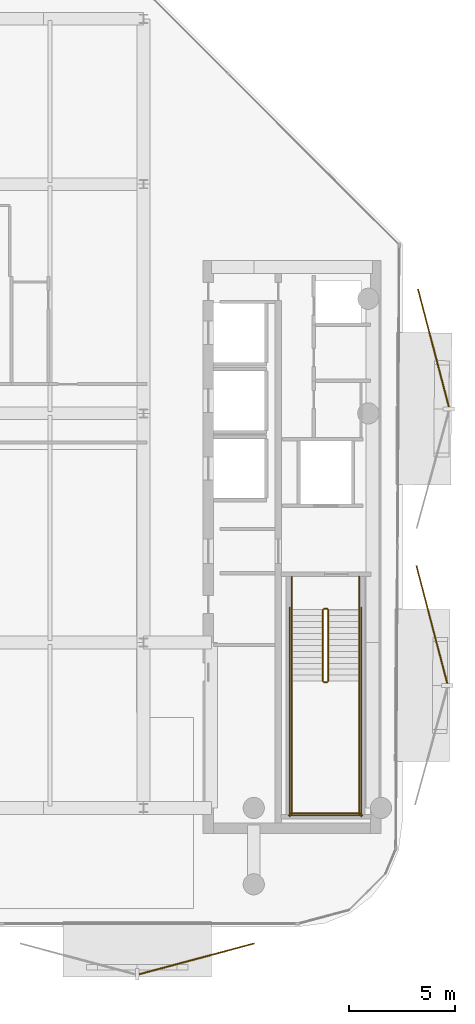
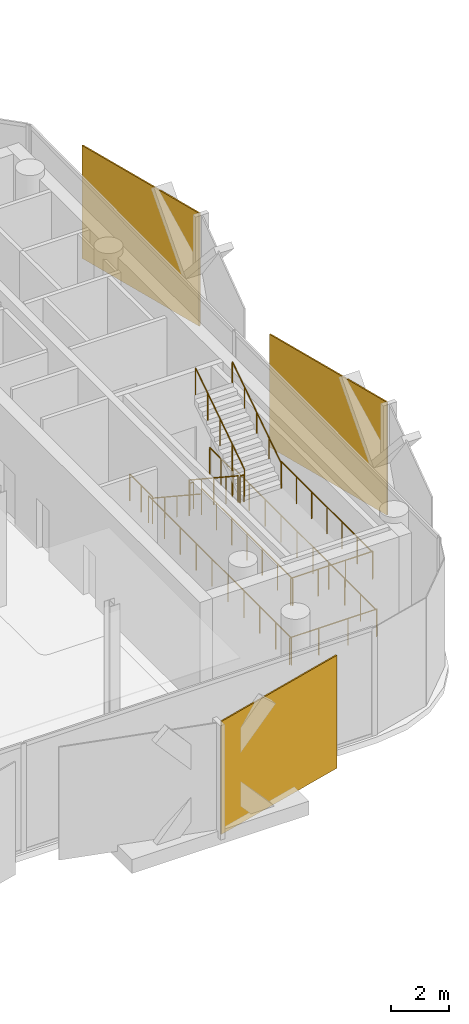
# One storey, part 14 of 15: 14 railings, 3 coverings.
"""IFC4 building model written with IfcOpenShell, lengths in metres."""

from ifc_helpers import new_model, si_unit, direction, frame, origin, origin_2d, place, context, subcontext, project, spatial, rectangle, circle, extrude, material, layer, layer_set, type_object, element, save


model = new_model("IFC4")

# Units and contexts
model_context = context("Model", 3, precision=1e-05, world=origin(), true_north=direction((0.0, 1.0)))
body_context = subcontext(model_context, "Body", "Model", "MODEL_VIEW")
ifc_project = project(units=[si_unit("LENGTHUNIT", "METRE"), si_unit("AREAUNIT", "SQUARE_METRE"), si_unit("VOLUMEUNIT", "CUBIC_METRE"), si_unit("PLANEANGLEUNIT", "RADIAN"), si_unit("MASSUNIT", "GRAM", prefix="KILO")], contexts=[model_context])

# Site, building, storey
site_placement = place(None, origin())
site = spatial("IfcSite", under=ifc_project, at=site_placement, CompositionType="ELEMENT")
building_placement = place(site_placement, origin())
building = spatial("IfcBuilding", under=site, at=building_placement, Name="Khairoan Windgate Tower", CompositionType="ELEMENT")
storey_placement = place(building_placement, frame((0.0, 0.0, 315.60009765625)))
storey = spatial("IfcBuildingStorey", under=building, at=storey_placement, Name="L76", CompositionType="ELEMENT", Elevation=315.60009765625)

# Coverings
ifc_material_1 = material(Name="Anodised Bronze Aluminium 6063-T6", Category="aluminium")
ifc_layer = layer(ifc_material_1, 0.054931640625, Name="Anodised Bronze Aluminium 6063-T6")
ifc_layer_set = layer_set([ifc_layer], Name="Anodised Bronze Aluminium 6063-T6")
covering_type = type_object("IfcCoveringType", Name="Perforated Bronze-Ceramic Folded Solar Screen Cladding BSC-1", PredefinedType="CLADDING", material=ifc_layer_set)
covering_placement = place(storey_placement, frame((11.71044921875, -25.713134765625, -0.10009765625), z_axis=(0.0, 0.0, 1.0), x_axis=(-0.965925826289, -0.258819045103, 0.0)))
element("IfcCovering", 1, at=covering_placement, inside=storey, type_object=covering_type, Name="L76 Folded Bronze Solar Screen Facet 534L", PredefinedType="CLADDING", context=body_context, shape_type="SweptSolid", body=[
    extrude(rectangle(XDim=5.616943359375, YDim=0.054931640625, at=origin_2d()), origin(), (0.0, 0.0, 1.0), 4.739990234375),
])
for number, where, z_axis, x_axis, name in (
    (2, (22.869873046875, 3.074462890625, -0.10009765625), (0.0, 0.0, 1.0), (0.253251449612, -0.967400487528, 0.0), "L76 Folded Bronze Solar Screen Facet 540L"),
    (3, (22.794921875, -9.96240234375, -0.10009765625), (0.0, 0.0, 1.0), (0.253251449612, -0.967400487528, 0.0), "L76 Folded Bronze Solar Screen Facet 541L"),
):
    element("IfcCovering", number, at=place(storey_placement, frame(where, z_axis=z_axis, x_axis=x_axis)), inside=storey, type_object=covering_type, Name=name, PredefinedType="CLADDING", context=body_context, shape_type="SweptSolid", body=[
        extrude(rectangle(XDim=5.736083984375, YDim=0.054931640625, at=origin_2d()), origin(), (0.0, 0.0, 1.0), 4.739990234375),
    ])

# Railings
ifc_material_2 = material(Name="Anodised Bronze Aluminium 6063-T6", Category="aluminium")
railing_type_1 = type_object("IfcRailingType", Name="Stair Wall Handrail SHR-900", PredefinedType="HANDRAIL", material=ifc_material_2)
railing_1_placement = place(storey_placement, frame((16.199951171875, -9.260009765625, 0.1845703125)))
element("IfcRailing", 4, at=railing_1_placement, inside=storey, type_object=railing_type_1, Name="L76 ST1 stair handrail 1", PredefinedType="HANDRAIL", context=body_context, shape_type="SweptSolid", body=[
    extrude(circle(Radius=0.02392578125, at=origin_2d()), frame((0.0, 0.0, 0.8759765625), z_axis=(0.0, -0.834876476806, 0.550437342915), x_axis=(1.0, 0.0, 0.0)), (0.0, 0.0, 1.0), 4.024658203125),
    extrude(circle(Radius=0.02099609375, at=origin_2d()), origin(), (0.0, 0.0, 1.0), 0.851806640625),
    extrude(circle(Radius=0.02099609375, at=origin_2d()), frame((0.0, -0.840087890625, 0.5537109375)), (0.0, 0.0, 1.0), 0.851806640625),
    extrude(circle(Radius=0.02099609375, at=origin_2d()), frame((0.0, -1.68017578125, 1.107666015625)), (0.0, 0.0, 1.0), 0.851806640625),
    extrude(circle(Radius=0.02099609375, at=origin_2d()), frame((0.0, -2.52001953125, 1.66162109375)), (0.0, 0.0, 1.0), 0.851806640625),
    extrude(circle(Radius=0.02099609375, at=origin_2d()), frame((0.0, -3.360107421875, 2.21533203125)), (0.0, 0.0, 1.0), 0.851806640625),
])
railing_2_placement = place(storey_placement, frame((19.3701171875, -12.6201171875, 2.58447265625)))
element("IfcRailing", 5, at=railing_2_placement, inside=storey, type_object=railing_type_1, Name="L76 ST1 stair handrail 2", PredefinedType="HANDRAIL", context=body_context, shape_type="SweptSolid", body=[
    extrude(circle(Radius=0.02392578125, at=origin_2d()), frame((0.0, 0.0, 0.8759765625), z_axis=(0.0, 0.834876476806, 0.550437342915), x_axis=(-1.0, 0.0, 0.0)), (0.0, 0.0, 1.0), 4.024658203125),
    extrude(circle(Radius=0.02099609375, at=origin_2d()), origin(), (0.0, 0.0, 1.0), 0.851806640625),
    extrude(circle(Radius=0.02099609375, at=origin_2d()), frame((0.0, 0.840087890625, 0.5537109375)), (0.0, 0.0, 1.0), 0.851806640625),
    extrude(circle(Radius=0.02099609375, at=origin_2d()), frame((0.0, 1.68017578125, 1.107666015625)), (0.0, 0.0, 1.0), 0.851806640625),
    extrude(circle(Radius=0.02099609375, at=origin_2d()), frame((0.0, 2.52001953125, 1.66162109375)), (0.0, 0.0, 1.0), 0.851806640625),
    extrude(circle(Radius=0.02099609375, at=origin_2d()), frame((0.0, 3.360107421875, 2.21533203125)), (0.0, 0.0, 1.0), 0.851806640625),
])
ifc_material_3 = material(Name="Steel S355", Category="steel")
railing_type_2 = type_object("IfcRailingType", Name="Stairwell Safety Guardrail SGR-1150", PredefinedType="GUARDRAIL", material=ifc_material_3)
railing_3_placement = place(storey_placement, frame((17.659912109375, -9.260009765625, 0.1845703125)))
element("IfcRailing", 6, at=railing_3_placement, inside=storey, type_object=railing_type_2, Name="L76 ST1 stair guard 1", PredefinedType="GUARDRAIL", context=body_context, shape_type="SweptSolid", body=[
    extrude(circle(Radius=0.02392578125, at=origin_2d()), frame((0.0, 0.0, 1.1259765625), z_axis=(0.0, -0.834876476806, 0.550437342915), x_axis=(1.0, 0.0, 0.0)), (0.0, 0.0, 1.0), 4.024658203125),
    extrude(circle(Radius=0.02099609375, at=origin_2d()), origin(), (0.0, 0.0, 1.0), 1.101806640625),
    extrude(circle(Radius=0.02099609375, at=origin_2d()), frame((0.0, -0.840087890625, 0.5537109375)), (0.0, 0.0, 1.0), 1.101806640625),
    extrude(circle(Radius=0.02099609375, at=origin_2d()), frame((0.0, -1.68017578125, 1.107666015625)), (0.0, 0.0, 1.0), 1.101806640625),
    extrude(circle(Radius=0.02099609375, at=origin_2d()), frame((0.0, -2.52001953125, 1.66162109375)), (0.0, 0.0, 1.0), 1.101806640625),
    extrude(circle(Radius=0.02099609375, at=origin_2d()), frame((0.0, -3.360107421875, 2.21533203125)), (0.0, 0.0, 1.0), 1.101806640625),
])
railing_4_placement = place(storey_placement, frame((17.7099609375, -12.669921875, 2.39990234375)))
element("IfcRailing", 7, at=railing_4_placement, inside=storey, type_object=railing_type_2, Name="L76 ST1 stair guard 2", PredefinedType="GUARDRAIL", context=body_context, shape_type="SweptSolid", body=[
    extrude(circle(Radius=0.02392578125, at=origin_2d()), frame((0.0, 0.0, 1.1259765625), z_axis=(1.0, 0.0, 0.0), x_axis=(0.0, 1.0, 0.0)), (0.0, 0.0, 1.0), 0.150146484375),
    extrude(circle(Radius=0.02099609375, at=origin_2d()), origin(), (0.0, 0.0, 1.0), 1.101806640625),
    extrude(circle(Radius=0.02099609375, at=origin_2d()), frame((0.150146484375, 0.0, 0.0)), (0.0, 0.0, 1.0), 1.101806640625),
])
for number, where, name in (
    (8, (16.199951171875, -12.6201171875, 2.39990234375), "L76 ST1 stair guard 3"),
    (9, (19.3701171875, -12.6201171875, 2.39990234375), "L76 ST1 stair guard 4"),
):
    element("IfcRailing", number, at=place(storey_placement, frame(where)), inside=storey, type_object=railing_type_2, Name=name, PredefinedType="GUARDRAIL", context=body_context, shape_type="SweptSolid", body=[
        extrude(circle(Radius=0.02392578125, at=origin_2d()), frame((0.0, 0.0, 1.1259765625), z_axis=(0.0, -1.0, 0.0), x_axis=(1.0, 0.0, 0.0)), (0.0, 0.0, 1.0), 6.27978515625),
        extrude(circle(Radius=0.02099609375, at=origin_2d()), origin(), (0.0, 0.0, 1.0), 1.101806640625),
        extrude(circle(Radius=0.02099609375, at=origin_2d()), frame((0.0, -1.046630859375, 0.0)), (0.0, 0.0, 1.0), 1.101806640625),
        extrude(circle(Radius=0.02099609375, at=origin_2d()), frame((0.0, -2.09326171875, 0.0)), (0.0, 0.0, 1.0), 1.101806640625),
        extrude(circle(Radius=0.02099609375, at=origin_2d()), frame((0.0, -3.139892578125, 0.0)), (0.0, 0.0, 1.0), 1.101806640625),
        extrude(circle(Radius=0.02099609375, at=origin_2d()), frame((0.0, -4.1865234375, 0.0)), (0.0, 0.0, 1.0), 1.101806640625),
        extrude(circle(Radius=0.02099609375, at=origin_2d()), frame((0.0, -5.233154296875, 0.0)), (0.0, 0.0, 1.0), 1.101806640625),
        extrude(circle(Radius=0.02099609375, at=origin_2d()), frame((0.0, -6.27978515625, 0.0)), (0.0, 0.0, 1.0), 1.101806640625),
    ])
railing_5_placement = place(storey_placement, frame((16.14990234375, -18.85009765625, 2.39990234375)))
element("IfcRailing", 10, at=railing_5_placement, inside=storey, type_object=railing_type_2, Name="L76 ST1 stair guard 5", PredefinedType="GUARDRAIL", context=body_context, shape_type="SweptSolid", body=[
    extrude(circle(Radius=0.02392578125, at=origin_2d()), frame((0.0, 0.0, 1.1259765625), z_axis=(1.0, 0.0, 0.0), x_axis=(0.0, 1.0, 0.0)), (0.0, 0.0, 1.0), 3.27001953125),
    extrude(circle(Radius=0.02099609375, at=origin_2d()), origin(), (0.0, 0.0, 1.0), 1.101806640625),
    extrude(circle(Radius=0.02099609375, at=origin_2d()), frame((1.090087890625, 0.0, 0.0)), (0.0, 0.0, 1.0), 1.101806640625),
    extrude(circle(Radius=0.02099609375, at=origin_2d()), frame((2.179931640625, 0.0, 0.0)), (0.0, 0.0, 1.0), 1.101806640625),
    extrude(circle(Radius=0.02099609375, at=origin_2d()), frame((3.27001953125, 0.0, 0.0)), (0.0, 0.0, 1.0), 1.101806640625),
])
railing_6_placement = place(storey_placement, frame((17.909912109375, -12.6201171875, 2.58447265625)))
element("IfcRailing", 11, at=railing_6_placement, inside=storey, type_object=railing_type_2, Name="L76 ST1 stair guard 6", PredefinedType="GUARDRAIL", context=body_context, shape_type="SweptSolid", body=[
    extrude(circle(Radius=0.02392578125, at=origin_2d()), frame((0.0, 0.0, 1.1259765625), z_axis=(0.0, 0.834876476806, 0.550437342915), x_axis=(-1.0, 0.0, 0.0)), (0.0, 0.0, 1.0), 4.024658203125),
    extrude(circle(Radius=0.02099609375, at=origin_2d()), origin(), (0.0, 0.0, 1.0), 1.101806640625),
    extrude(circle(Radius=0.02099609375, at=origin_2d()), frame((0.0, 0.840087890625, 0.5537109375)), (0.0, 0.0, 1.0), 1.101806640625),
    extrude(circle(Radius=0.02099609375, at=origin_2d()), frame((0.0, 1.68017578125, 1.107666015625)), (0.0, 0.0, 1.0), 1.101806640625),
    extrude(circle(Radius=0.02099609375, at=origin_2d()), frame((0.0, 2.52001953125, 1.66162109375)), (0.0, 0.0, 1.0), 1.101806640625),
    extrude(circle(Radius=0.02099609375, at=origin_2d()), frame((0.0, 3.360107421875, 2.21533203125)), (0.0, 0.0, 1.0), 1.101806640625),
])
railing_7_placement = place(storey_placement, frame((17.7099609375, -9.2099609375, 0.0)))
element("IfcRailing", 12, at=railing_7_placement, inside=storey, type_object=railing_type_2, Name="L76 ST1 stair guard 7", PredefinedType="GUARDRAIL", context=body_context, shape_type="SweptSolid", body=[
    extrude(circle(Radius=0.02392578125, at=origin_2d()), frame((0.0, 0.0, 1.1259765625), z_axis=(1.0, 0.0, 0.0), x_axis=(0.0, 1.0, 0.0)), (0.0, 0.0, 1.0), 0.150146484375),
    extrude(circle(Radius=0.02099609375, at=origin_2d()), origin(), (0.0, 0.0, 1.0), 1.101806640625),
    extrude(circle(Radius=0.02099609375, at=origin_2d()), frame((0.150146484375, 0.0, 0.0)), (0.0, 0.0, 1.0), 1.101806640625),
])
for number, where, name in (
    (13, (16.199951171875, -7.699951171875, 0.0), "L76 ST1 stair guard 8"),
    (14, (19.3701171875, -7.699951171875, 0.0), "L76 ST1 stair guard 9"),
):
    element("IfcRailing", number, at=place(storey_placement, frame(where)), inside=storey, type_object=railing_type_2, Name=name, PredefinedType="GUARDRAIL", context=body_context, shape_type="SweptSolid", body=[
        extrude(circle(Radius=0.02392578125, at=origin_2d()), frame((0.0, 0.0, 1.1259765625), z_axis=(0.0, -1.0, 0.0), x_axis=(1.0, 0.0, 0.0)), (0.0, 0.0, 1.0), 1.56005859375),
        extrude(circle(Radius=0.02099609375, at=origin_2d()), origin(), (0.0, 0.0, 1.0), 1.101806640625),
        extrude(circle(Radius=0.02099609375, at=origin_2d()), frame((0.0, -0.780029296875, 0.0)), (0.0, 0.0, 1.0), 1.101806640625),
        extrude(circle(Radius=0.02099609375, at=origin_2d()), frame((0.0, -1.56005859375, 0.0)), (0.0, 0.0, 1.0), 1.101806640625),
    ])
for number, where, name in (
    (15, (16.10009765625, -9.159912109375, 0.0), "L76 ST1 stair guard 10"),
    (16, (19.469970703125, -9.159912109375, 0.0), "L76 ST1 stair guard 11"),
):
    element("IfcRailing", number, at=place(storey_placement, frame(where)), inside=storey, type_object=railing_type_2, Name=name, PredefinedType="GUARDRAIL", context=body_context, shape_type="SweptSolid", body=[
        extrude(circle(Radius=0.02392578125, at=origin_2d()), frame((0.0, 0.0, 1.1259765625), z_axis=(0.0, -1.0, 0.0), x_axis=(1.0, 0.0, 0.0)), (0.0, 0.0, 1.0), 9.840087890625),
        extrude(circle(Radius=0.02099609375, at=origin_2d()), origin(), (0.0, 0.0, 1.0), 1.101806640625),
        extrude(circle(Radius=0.02099609375, at=origin_2d()), frame((0.0, -1.09326171875, 0.0)), (0.0, 0.0, 1.0), 1.101806640625),
        extrude(circle(Radius=0.02099609375, at=origin_2d()), frame((0.0, -2.186767578125, 0.0)), (0.0, 0.0, 1.0), 1.101806640625),
        extrude(circle(Radius=0.02099609375, at=origin_2d()), frame((0.0, -3.280029296875, 0.0)), (0.0, 0.0, 1.0), 1.101806640625),
        extrude(circle(Radius=0.02099609375, at=origin_2d()), frame((0.0, -4.373291015625, 0.0)), (0.0, 0.0, 1.0), 1.101806640625),
        extrude(circle(Radius=0.02099609375, at=origin_2d()), frame((0.0, -5.466796875, 0.0)), (0.0, 0.0, 1.0), 1.101806640625),
        extrude(circle(Radius=0.02099609375, at=origin_2d()), frame((0.0, -6.56005859375, 0.0)), (0.0, 0.0, 1.0), 1.101806640625),
        extrude(circle(Radius=0.02099609375, at=origin_2d()), frame((0.0, -7.6533203125, 0.0)), (0.0, 0.0, 1.0), 1.101806640625),
        extrude(circle(Radius=0.02099609375, at=origin_2d()), frame((0.0, -8.746826171875, 0.0)), (0.0, 0.0, 1.0), 1.101806640625),
        extrude(circle(Radius=0.02099609375, at=origin_2d()), frame((0.0, -9.840087890625, 0.0)), (0.0, 0.0, 1.0), 1.101806640625),
    ])
railing_8_placement = place(storey_placement, frame((16.050048828125, -18.949951171875, 0.0)))
element("IfcRailing", 17, at=railing_8_placement, inside=storey, type_object=railing_type_2, Name="L76 ST1 stair guard 12", PredefinedType="GUARDRAIL", context=body_context, shape_type="SweptSolid", body=[
    extrude(circle(Radius=0.02392578125, at=origin_2d()), frame((0.0, 0.0, 1.1259765625), z_axis=(1.0, 0.0, 0.0), x_axis=(0.0, 1.0, 0.0)), (0.0, 0.0, 1.0), 3.469970703125),
    extrude(circle(Radius=0.02099609375, at=origin_2d()), origin(), (0.0, 0.0, 1.0), 1.101806640625),
    extrude(circle(Radius=0.02099609375, at=origin_2d()), frame((1.15673828125, 0.0, 0.0)), (0.0, 0.0, 1.0), 1.101806640625),
    extrude(circle(Radius=0.02099609375, at=origin_2d()), frame((2.313232421875, 0.0, 0.0)), (0.0, 0.0, 1.0), 1.101806640625),
    extrude(circle(Radius=0.02099609375, at=origin_2d()), frame((3.469970703125, 0.0, 0.0)), (0.0, 0.0, 1.0), 1.101806640625),
])

save(model, "model.ifc")
